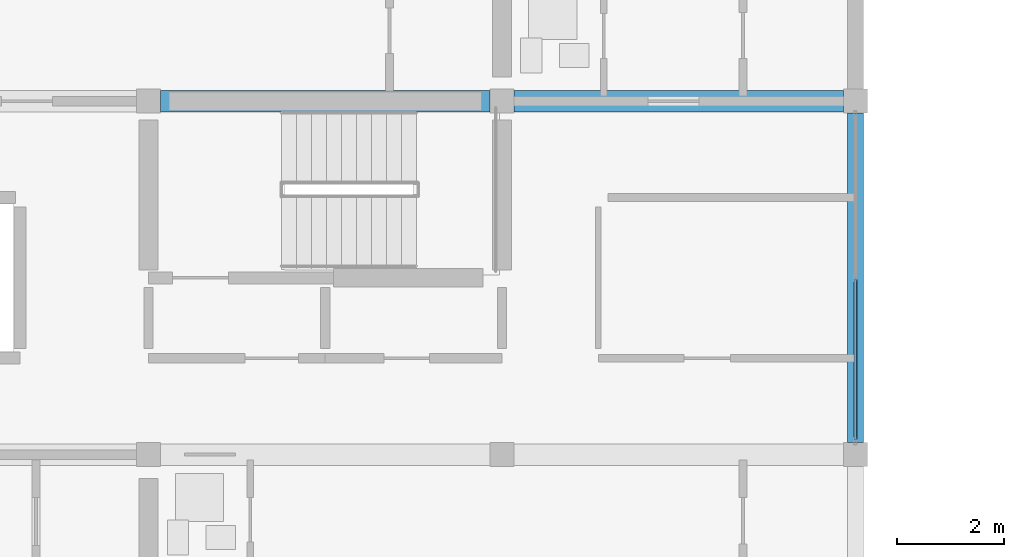
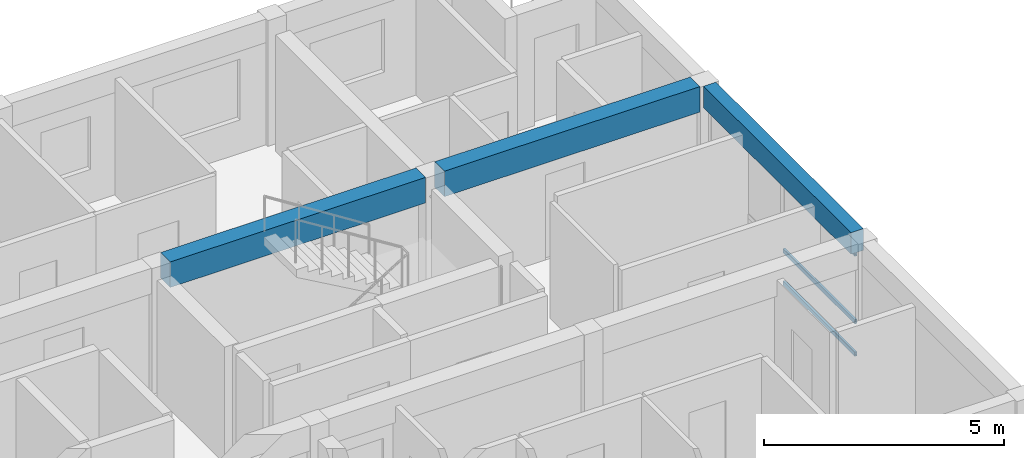
# One storey, part 8 of 52: 3 beams, 3 members, 1 element without a shape of its own.
"""IFC4 building model written with IfcOpenShell, lengths in metres."""

from ifc_helpers import new_model, si_unit, direction, frame, origin, origin_2d, place, context, subcontext, project, spatial, rectangle, hollow_rectangle, extrude, material, material_profile, profile_set, type_object, element, aggregate, save


model = new_model("IFC4")

# Units and contexts
model_context = context("Model", 3, precision=1e-05, world=origin(), true_north=direction((0.0, 1.0)))
body_context = subcontext(model_context, "Body", "Model", "MODEL_VIEW")
ifc_project = project(units=[si_unit("LENGTHUNIT", "METRE"), si_unit("AREAUNIT", "SQUARE_METRE"), si_unit("VOLUMEUNIT", "CUBIC_METRE"), si_unit("PLANEANGLEUNIT", "RADIAN"), si_unit("MASSUNIT", "GRAM", prefix="KILO")], contexts=[model_context])

# Site, building, storey
site_placement = place(None, origin())
site = spatial("IfcSite", under=ifc_project, at=site_placement, CompositionType="ELEMENT")
building_placement = place(site_placement, origin())
building = spatial("IfcBuilding", under=site, at=building_placement, Name="Kernevlak Ridge Housing Community", CompositionType="ELEMENT")
storey_placement = place(building_placement, frame((0.0, 0.0, 11.60009765625)))
storey = spatial("IfcBuildingStorey", under=building, at=storey_placement, Name="L03", CompositionType="ELEMENT", Elevation=11.60009765625)

# Beams
ifc_material_1 = material(Name="Concrete C35/45", Category="concrete")
ifc_material_profile_1 = material_profile(ifc_material_1, rectangle(XDim=0.39990234375, YDim=0.64990234375, at=origin_2d()), Name="RC 400x650")
ifc_profile_set_1 = profile_set([ifc_material_profile_1], Name="Concrete C35/45")
beam_type_1 = type_object("IfcBeamType", Name="B-03", PredefinedType="T_BEAM", material=ifc_profile_set_1)
beam_1_placement = place(storey_placement, frame((29.02490234375, 28.800048828125, 2.875), z_axis=(1.0, 0.0, 0.0), x_axis=(0.0, 1.0, 0.0)))
element("IfcBeam", 1, at=beam_1_placement, inside=storey, type_object=beam_type_1, Name="Beam B-03 L03 1398", PredefinedType="T_BEAM", context=body_context, shape_type="SweptSolid", body=[
    extrude(rectangle(XDim=0.39990234375, YDim=0.64990234375, at=origin_2d()), origin(), (0.0, 0.0, 1.0), 6.150146484375),
])
beam_2_placement = place(storey_placement, frame((35.625, 28.800048828125, 2.875), z_axis=(1.0, 0.0, 0.0), x_axis=(0.0, 1.0, 0.0)))
element("IfcBeam", 2, at=beam_2_placement, inside=storey, type_object=beam_type_1, Name="Beam B-03 L03 1399", PredefinedType="T_BEAM", context=body_context, shape_type="SweptSolid", body=[
    extrude(rectangle(XDim=0.39990234375, YDim=0.64990234375, at=origin_2d()), origin(), (0.0, 0.0, 1.0), 6.14990234375),
])
ifc_material_profile_2 = material_profile(ifc_material_1, rectangle(XDim=0.300048828125, YDim=0.550048828125, at=origin_2d()), Name="RC 300x550")
ifc_profile_set_2 = profile_set([ifc_material_profile_2], Name="Concrete C35/45")
beam_type_2 = type_object("IfcBeamType", Name="SP-01", PredefinedType="SPANDREL", material=ifc_profile_set_2)
beam_3_placement = place(storey_placement, frame((42.0, 22.425048828125, 2.9248046875), z_axis=(0.0, 1.0, 0.0), x_axis=(-1.0, 0.0, 0.0)))
element("IfcBeam", 3, at=beam_3_placement, inside=storey, type_object=beam_type_2, Name="Beam SP-01 L03 1408", PredefinedType="SPANDREL", context=body_context, shape_type="SweptSolid", body=[
    extrude(rectangle(XDim=0.300048828125, YDim=0.550048828125, at=origin_2d()), origin(), (0.0, 0.0, 1.0), 6.14990234375),
])

# Curtain wall, members
ifc_material_2 = material(Name="Aluminium EN AW-6060 anodised and laminated glass", Category="aluminium")
curtain_wall_type = type_object("IfcCurtainWallType", Name="CW-01", PredefinedType="NOTDEFINED", material=ifc_material_2)
curtain_wall_placement = place(storey_placement, origin())
curtain_wall = element("IfcCurtainWall", 4, at=curtain_wall_placement, inside=storey, type_object=curtain_wall_type, Name="Curtain wall CW-01 CW-L03-150", PredefinedType="NOTDEFINED")
ifc_material_3 = material(Name="Aluminium EN AW-6060 anodised", Category="aluminium")
ifc_material_profile_3 = material_profile(ifc_material_3, hollow_rectangle(XDim=0.054931640625, YDim=0.110107421875, WallThickness=0.00390625, InnerFilletRadius=0.001953125, OuterFilletRadius=0.00390625, at=origin_2d()), Name="ALU 55x110x4")
ifc_profile_set_3 = profile_set([ifc_material_profile_3], Name="Aluminium EN AW-6060 anodised")
member_type = type_object("IfcMemberType", Name="TM-01", PredefinedType="USERDEFINED", material=ifc_profile_set_3)
member_1_placement = place(storey_placement, frame((42.0, 22.47998046875, 0.02734375), z_axis=(0.0, 1.0, 0.0), x_axis=(-1.0, 0.0, 0.0)))
member_1 = element("IfcMember", 5, at=member_1_placement, type_object=member_type, Name="CW-01 transom 1.1", ObjectType="TRANSOM", PredefinedType="USERDEFINED", context=body_context, shape_type="SweptSolid", body=[
    extrude(hollow_rectangle(XDim=0.054931640625, YDim=0.110107421875, WallThickness=0.00390625, InnerFilletRadius=0.001953125, OuterFilletRadius=0.00390625, at=origin_2d()), origin(), (0.0, 0.0, 1.0), 2.992431640625),
])
member_2_placement = place(storey_placement, frame((42.0, 22.47998046875, 0.849853515625), z_axis=(0.0, 1.0, 0.0), x_axis=(-1.0, 0.0, 0.0)))
member_2 = element("IfcMember", 6, at=member_2_placement, type_object=member_type, Name="CW-01 transom 1.2", ObjectType="TRANSOM", PredefinedType="USERDEFINED", context=body_context, shape_type="SweptSolid", body=[
    extrude(hollow_rectangle(XDim=0.054931640625, YDim=0.110107421875, WallThickness=0.00390625, InnerFilletRadius=0.001953125, OuterFilletRadius=0.00390625, at=origin_2d()), origin(), (0.0, 0.0, 1.0), 2.992431640625),
])
member_3_placement = place(storey_placement, frame((42.0, 22.47998046875, 2.572509765625), z_axis=(0.0, 1.0, 0.0), x_axis=(-1.0, 0.0, 0.0)))
member_3 = element("IfcMember", 7, at=member_3_placement, type_object=member_type, Name="CW-01 transom 1.3", ObjectType="TRANSOM", PredefinedType="USERDEFINED", context=body_context, shape_type="SweptSolid", body=[
    extrude(hollow_rectangle(XDim=0.054931640625, YDim=0.110107421875, WallThickness=0.00390625, InnerFilletRadius=0.001953125, OuterFilletRadius=0.00390625, at=origin_2d()), origin(), (0.0, 0.0, 1.0), 2.992431640625),
])
aggregate(curtain_wall, [member_1, member_2, member_3])

save(model, "model.ifc")
